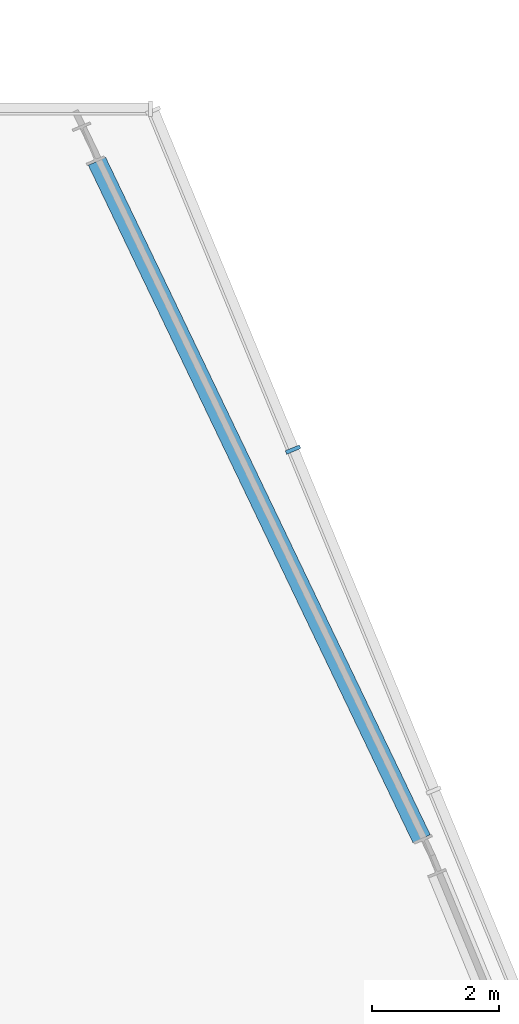
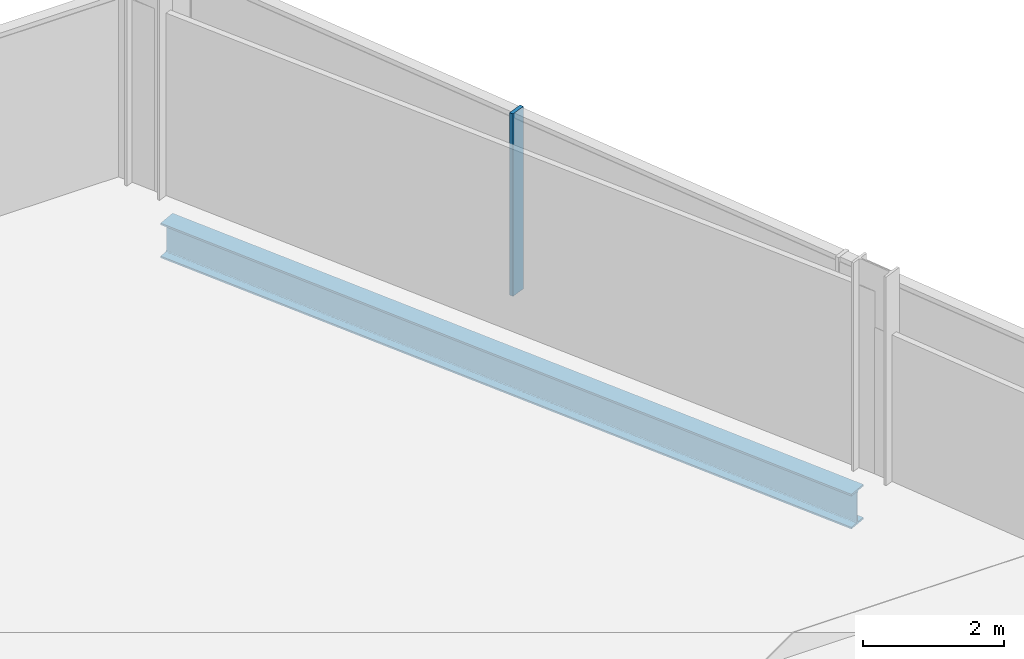
# One storey, part 12 of 24: 1 beam, 1 member, 1 element without a shape of its own.
"""IFC4 building model written with IfcOpenShell, lengths in metres."""

from ifc_helpers import new_model, si_unit, direction, frame, origin, origin_2d, place, context, subcontext, project, spatial, rectangle, i_section, extrude, material, material_profile, profile_set, type_object, element, aggregate, save


model = new_model("IFC4")

# Units and contexts
model_context = context("Model", 3, precision=1e-05, world=origin(), true_north=direction((0.0, 1.0)))
body_context = subcontext(model_context, "Body", "Model", "MODEL_VIEW")
ifc_project = project(units=[si_unit("LENGTHUNIT", "METRE"), si_unit("AREAUNIT", "SQUARE_METRE"), si_unit("VOLUMEUNIT", "CUBIC_METRE"), si_unit("PLANEANGLEUNIT", "RADIAN"), si_unit("MASSUNIT", "GRAM", prefix="KILO")], contexts=[model_context])

# Site, building, storey
site_placement = place(None, origin())
site = spatial("IfcSite", under=ifc_project, at=site_placement, CompositionType="ELEMENT")
building_placement = place(site_placement, origin())
building = spatial("IfcBuilding", under=site, at=building_placement, Name="Wharfspan Tower", CompositionType="ELEMENT")
storey_placement = place(building_placement, frame((0.0, 0.0, 198.699951)))
storey = spatial("IfcBuildingStorey", under=building, at=storey_placement, Name="L49", CompositionType="ELEMENT", Elevation=198.699951)

# Beam
ifc_material_1 = material(Name="Steel S355J2", Category="steel")
ifc_material_profile_1 = material_profile(ifc_material_1, i_section(OverallWidth=0.300049, OverallDepth=0.600098, WebThickness=0.015381, FlangeThickness=0.030029, FilletRadius=0.0271, at=origin_2d()))
ifc_profile_set_1 = profile_set([ifc_material_profile_1], Name="Steel S355J2")
beam_type = type_object("IfcBeamType", Name="Edge beam HEB 600", PredefinedType="SPANDREL", material=ifc_profile_set_1)
beam_placement = place(storey_placement, frame((73.721436, 30.495605, -0.699951), z_axis=(-0.432149, 0.901802, 0.0), x_axis=(-0.901802, -0.432149, 0.0)))
element("IfcBeam", 1, at=beam_placement, inside=storey, type_object=beam_type, Name="Edge beam L49 PE.2 to PE.3", PredefinedType="SPANDREL", context=body_context, shape_type="SweptSolid", body=[
    extrude(i_section(OverallWidth=0.300049, OverallDepth=0.600098, WebThickness=0.015381, FlangeThickness=0.030029, FilletRadius=0.0271, at=origin_2d()), origin(), (0.0, 0.0, 1.0), 11.841309),
])

# Curtain wall, member
ifc_material_2 = material(Name="Aluminium 6063-T6", Category="aluminium")
curtain_wall_type = type_object("IfcCurtainWallType", Name="CURTAIN WALL PROW AND END", PredefinedType="NOTDEFINED", material=ifc_material_2)
curtain_wall_placement = place(storey_placement, origin())
curtain_wall = element("IfcCurtainWall", 2, at=curtain_wall_placement, inside=storey, type_object=curtain_wall_type, Name="Curtain wall E", PredefinedType="NOTDEFINED")
ifc_material_profile_2 = material_profile(ifc_material_2, rectangle(XDim=0.23999, YDim=0.060059, at=origin_2d()))
ifc_profile_set_2 = profile_set([ifc_material_profile_2], Name="Aluminium 6063-T6")
member_type = type_object("IfcMemberType", Name="MULLION PROW AND END 60x240", PredefinedType="MULLION", material=ifc_profile_set_2)
member_placement = place(storey_placement, frame((71.69458, 36.628662, 0.0), z_axis=(0.0, 0.0, 1.0), x_axis=(-0.924325, -0.381602, 0.0)))
member = element("IfcMember", 3, at=member_placement, type_object=member_type, Name="Curtain wall E mullion 7", PredefinedType="MULLION", context=body_context, shape_type="SweptSolid", body=[
    extrude(rectangle(XDim=0.23999, YDim=0.060059, at=origin_2d()), origin(), (0.0, 0.0, 1.0), 3.150146),
])
aggregate(curtain_wall, [member])

save(model, "model.ifc")
